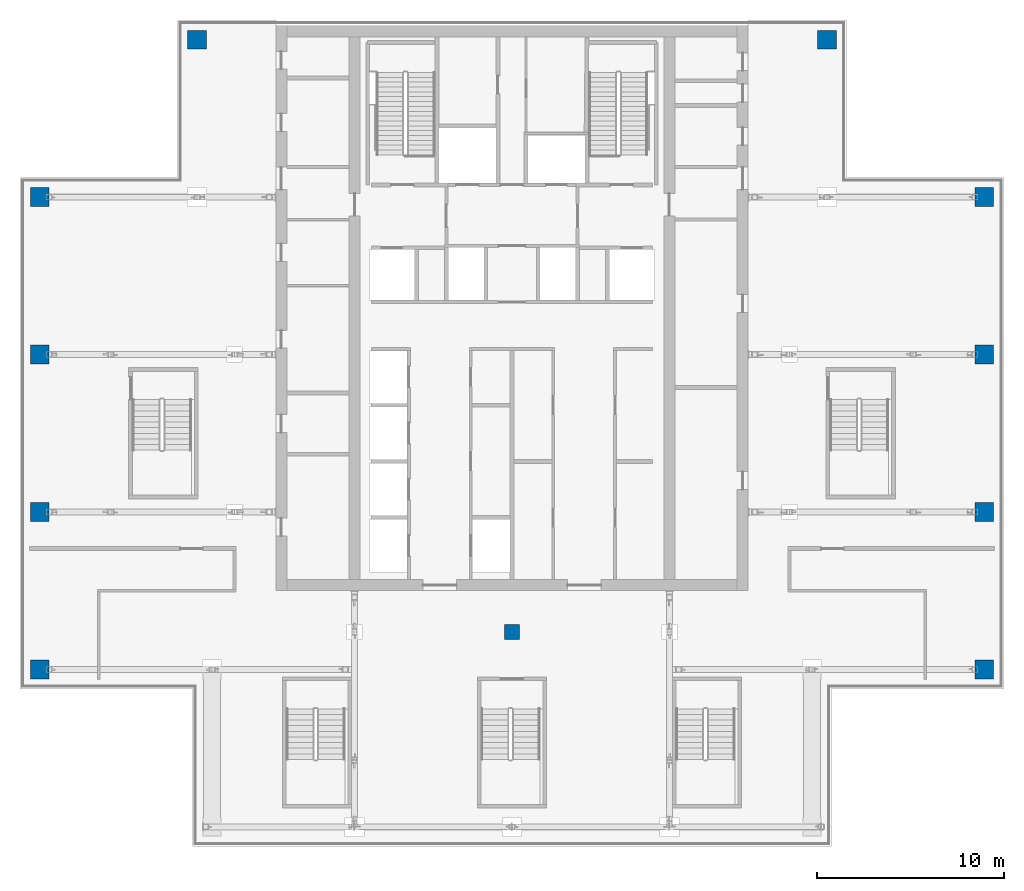
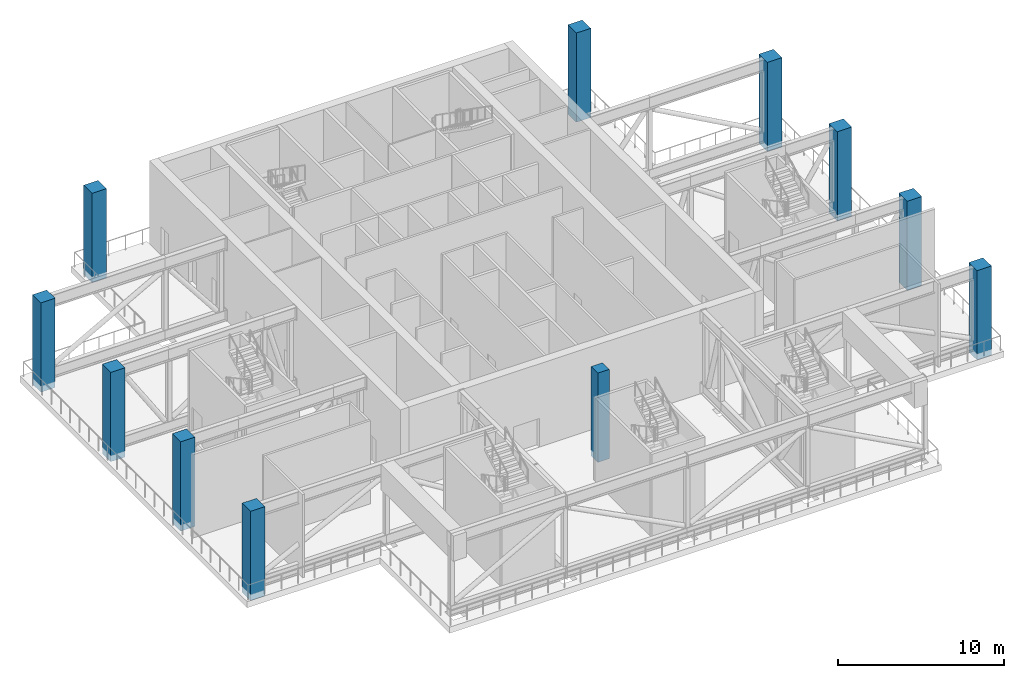
# One storey, part 1 of 24: 11 columns.
"""IFC4 building model written with IfcOpenShell, lengths in metres."""

from ifc_helpers import new_model, si_unit, direction, frame, origin, origin_2d, place, context, subcontext, project, spatial, rectangle, extrude, material, material_profile, profile_set, type_object, element, save


model = new_model("IFC4")

# Units and contexts
model_context = context("Model", 3, precision=1e-05, world=origin(), true_north=direction((0.0, 1.0)))
body_context = subcontext(model_context, "Body", "Model", "MODEL_VIEW")
ifc_project = project(units=[si_unit("LENGTHUNIT", "METRE"), si_unit("AREAUNIT", "SQUARE_METRE"), si_unit("VOLUMEUNIT", "CUBIC_METRE"), si_unit("PLANEANGLEUNIT", "RADIAN"), si_unit("MASSUNIT", "GRAM", prefix="KILO")], contexts=[model_context])

# Site, building, storey
site_placement = place(None, origin())
site = spatial("IfcSite", under=ifc_project, at=site_placement, CompositionType="ELEMENT")
building_placement = place(site_placement, origin())
building = spatial("IfcBuilding", under=site, at=building_placement, Name="Vermilion Ogive Tower", CompositionType="ELEMENT")
storey_placement = place(building_placement, frame((0.0, 0.0, 216.949951171875)))
storey = spatial("IfcBuildingStorey", under=building, at=storey_placement, Name="L57", CompositionType="ELEMENT", Elevation=216.949951171875)

# Columns
ifc_material_1 = material(Name="Concrete B60", Category="concrete")
ifc_material_profile_1 = material_profile(ifc_material_1, rectangle(XDim=1.0, YDim=1.0, at=origin_2d()), Name="1000 x 1000")
ifc_profile_set_1 = profile_set([ifc_material_profile_1], Name="Concrete B60")
column_type_1 = type_object("IfcColumnType", Name="Perimeter column 1000 x 1000 B60", PredefinedType="COLUMN", material=ifc_profile_set_1)
for number, where, z_axis, x_axis, name in (
    (1, (-25.199951171875, -12.60009765625, -0.449951171875), (0.0, 0.0, 1.0), (1.0, 0.0, 0.0), "COL-L57-P-0252-126"),
    (2, (25.199951171875, -12.60009765625, -0.449951171875), (0.0, 0.0, 1.0), (1.0, 0.0, 0.0), "COL-L57-P+0252-126"),
    (3, (-25.199951171875, -4.199951171875, -0.449951171875), (0.0, 0.0, 1.0), (1.0, 0.0, 0.0), "COL-L57-P-0252-042"),
    (4, (25.199951171875, -4.199951171875, -0.449951171875), (0.0, 0.0, 1.0), (1.0, 0.0, 0.0), "COL-L57-P+0252-042"),
    (5, (-25.199951171875, 4.199951171875, -0.449951171875), (0.0, 0.0, 1.0), (1.0, 0.0, 0.0), "COL-L57-P-0252+042"),
    (6, (25.199951171875, 4.199951171875, -0.449951171875), (0.0, 0.0, 1.0), (1.0, 0.0, 0.0), "COL-L57-P+0252+042"),
    (7, (-25.199951171875, 12.60009765625, -0.449951171875), (0.0, 0.0, 1.0), (1.0, 0.0, 0.0), "COL-L57-P-0252+126"),
    (8, (25.199951171875, 12.60009765625, -0.449951171875), (0.0, 0.0, 1.0), (1.0, 0.0, 0.0), "COL-L57-P+0252+126"),
    (9, (-16.800048828125, 21.0, -0.449951171875), (0.0, 0.0, 1.0), (1.0, 0.0, 0.0), "COL-L57-P-0168+210"),
    (10, (16.800048828125, 21.0, -0.449951171875), (0.0, 0.0, 1.0), (1.0, 0.0, 0.0), "COL-L57-P+0168+210"),
):
    element("IfcColumn", number, at=place(storey_placement, frame(where, z_axis=z_axis, x_axis=x_axis)), inside=storey, type_object=column_type_1, Name=name, PredefinedType="COLUMN", context=body_context, shape_type="SweptSolid", body=[
        extrude(rectangle(XDim=1.0, YDim=1.0, at=origin_2d()), origin(), (0.0, 0.0, 1.0), 6.550048828125),
    ])
ifc_material_2 = material(Name="Concrete B60", Category="concrete")
ifc_material_profile_2 = material_profile(ifc_material_2, rectangle(XDim=0.800048828125, YDim=0.800048828125, at=origin_2d()), Name="800 x 800")
ifc_profile_set_2 = profile_set([ifc_material_profile_2], Name="Concrete B60")
column_type_2 = type_object("IfcColumnType", Name="Ring column 800 x 800 B60", PredefinedType="COLUMN", material=ifc_profile_set_2)
column_placement = place(storey_placement, frame((0.0, -10.60009765625, -0.449951171875), z_axis=(0.0, 0.0, 1.0), x_axis=(1.0, 0.0, 0.0)))
element("IfcColumn", 11, at=column_placement, inside=storey, type_object=column_type_2, Name="COL-L57-R+0000-106", PredefinedType="COLUMN", context=body_context, shape_type="SweptSolid", body=[
    extrude(rectangle(XDim=0.800048828125, YDim=0.800048828125, at=origin_2d()), origin(), (0.0, 0.0, 1.0), 6.550048828125),
])

save(model, "model.ifc")
